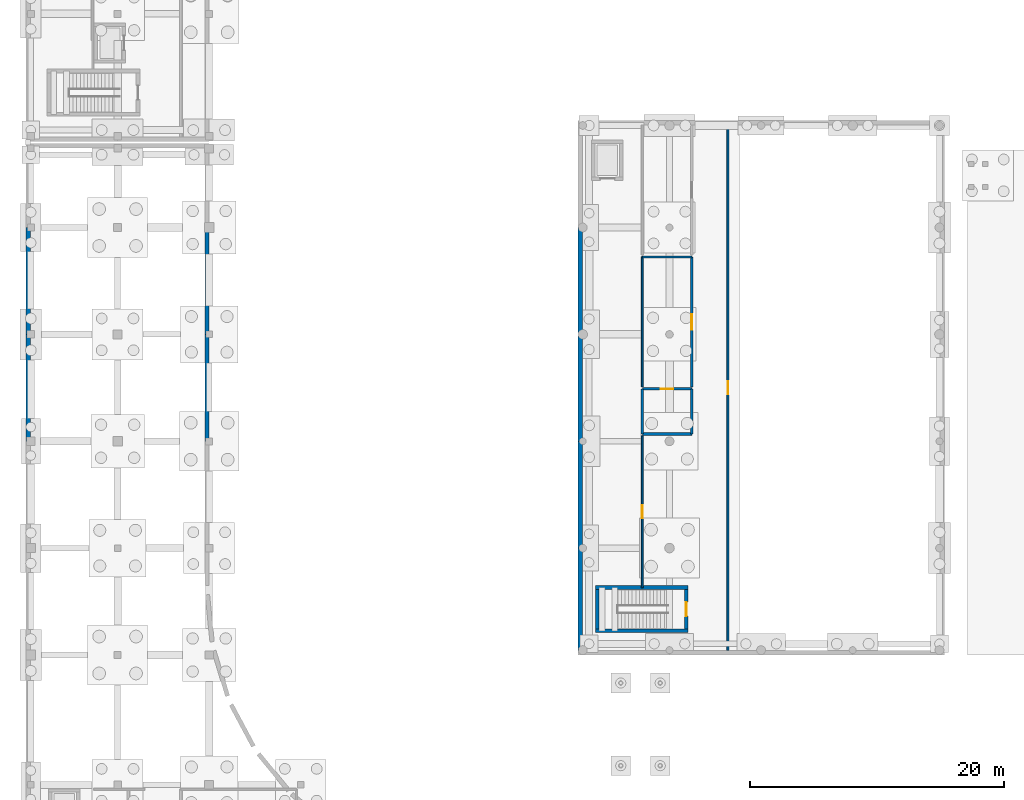
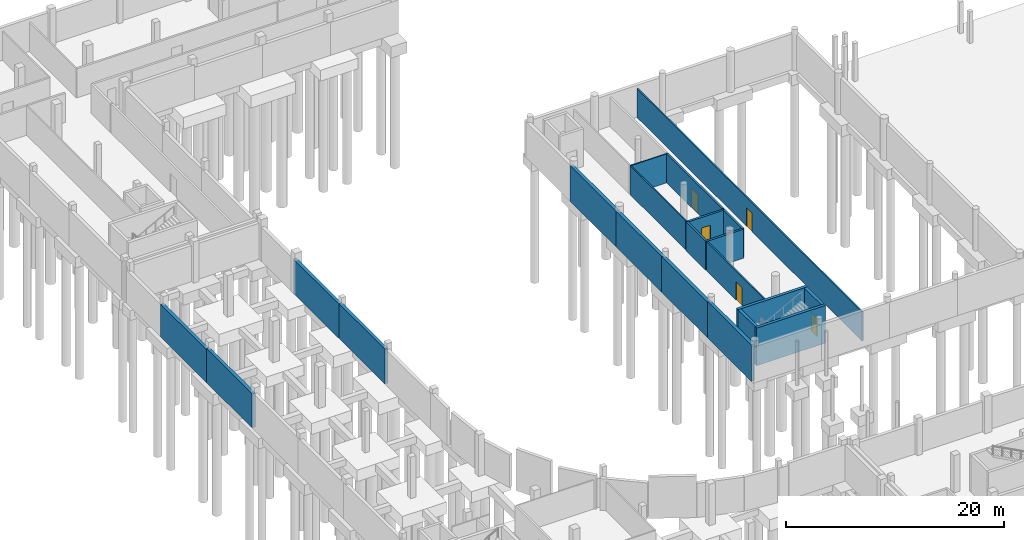
# One storey, part 26 of 41: 21 walls, 5 doors, 5 openings.
"""IFC4 building model written with IfcOpenShell, lengths in metres."""

from ifc_helpers import new_model, si_unit, direction, frame, frame_2d, origin, place, context, subcontext, project, spatial, rectangle, extrude, material, layer, layer_set, type_object, element, fill, save


model = new_model("IFC4")

# Units and contexts
model_context = context("Model", 3, precision=1e-05, world=origin(), true_north=direction((0.0, 1.0)))
body_context = subcontext(model_context, "Body", "Model", "MODEL_VIEW")
ifc_project = project(units=[si_unit("LENGTHUNIT", "METRE"), si_unit("AREAUNIT", "SQUARE_METRE"), si_unit("VOLUMEUNIT", "CUBIC_METRE"), si_unit("PLANEANGLEUNIT", "RADIAN"), si_unit("MASSUNIT", "GRAM", prefix="KILO")], contexts=[model_context])

# Site, building, storey
site_placement = place(None, origin())
site = spatial("IfcSite", under=ifc_project, at=site_placement, CompositionType="ELEMENT")
building_placement = place(site_placement, origin())
building = spatial("IfcBuilding", under=site, at=building_placement, Name="Vardoun Plaza Health Centre", CompositionType="ELEMENT")
storey_placement = place(building_placement, frame((0.0, 0.0, -4.5)))
storey = spatial("IfcBuildingStorey", under=building, at=storey_placement, Name="B1", CompositionType="ELEMENT", Elevation=-4.5)

# Walls
ifc_material_1 = material(Name="Concrete C40/50", Category="concrete")
ifc_layer_1 = layer(ifc_material_1, 0.300048828125)
ifc_layer_set_1 = layer_set([ifc_layer_1], Name="Concrete C40/50")
wall_type_1 = type_object("IfcWallType", Name="SW-01", PredefinedType="SHEAR", material=ifc_layer_set_1)
wall_1_placement = place(storey_placement, frame((56.550048828125, 38.199951171875, 0.0), z_axis=(0.0, 0.0, 1.0), x_axis=(-1.0, 0.0, 0.0)))
element("IfcWall", 1, at=wall_1_placement, inside=storey, type_object=wall_type_1, Name="Core C5 B1 Shear Wall S", PredefinedType="SHEAR", context=body_context, shape_type="SweptSolid", body=[
    extrude(rectangle(XDim=7.300048828125, YDim=0.300048828125, at=frame_2d((3.64990234375, 0.0))), origin(), (0.0, 0.0, 1.0), 4.219970703125),
])
wall_2_placement = place(storey_placement, frame((49.39990234375, 38.35009765625, 0.0), z_axis=(0.0, 0.0, 1.0), x_axis=(0.0, 1.0, 0.0)))
element("IfcWall", 2, at=wall_2_placement, inside=storey, type_object=wall_type_1, Name="Core C5 B1 Shear Wall W", PredefinedType="SHEAR", context=body_context, shape_type="SweptSolid", body=[
    extrude(rectangle(XDim=3.099853515625, YDim=0.300048828125, at=frame_2d((1.5498046875, 0.0))), origin(), (0.0, 0.0, 1.0), 4.219970703125),
])
wall_3_placement = place(storey_placement, frame((49.25, 41.60009765625, 0.0), z_axis=(0.0, 0.0, 1.0), x_axis=(1.0, 0.0, 0.0)))
element("IfcWall", 3, at=wall_3_placement, inside=storey, type_object=wall_type_1, Name="Core C5 B1 Shear Wall N", PredefinedType="SHEAR", context=body_context, shape_type="SweptSolid", body=[
    extrude(rectangle(XDim=7.300048828125, YDim=0.300048828125, at=frame_2d((3.64990234375, 0.0))), origin(), (0.0, 0.0, 1.0), 4.219970703125),
])

# Wall, opening, door
wall_4_placement = place(storey_placement, frame((56.39990234375, 41.449951171875, 0.0), z_axis=(0.0, 0.0, 1.0), x_axis=(0.0, -1.0, 0.0)))
wall_4 = element("IfcWall", 4, at=wall_4_placement, inside=storey, type_object=wall_type_1, Name="Core C5 B1 Shear Wall E", PredefinedType="SHEAR", context=body_context, shape_type="SweptSolid", body=[
    extrude(rectangle(XDim=3.099853515625, YDim=0.300048828125, at=frame_2d((1.5498046875, 0.0))), origin(), (0.0, 0.0, 1.0), 4.219970703125),
])
opening_1_placement = place(wall_4_placement, frame((1.0, 0.0, 0.0)))
opening_1 = element("IfcOpeningElement", 5, at=opening_1_placement, cuts=wall_4, Name="Opening SD-C5-B1", PredefinedType="OPENING", context=body_context, shape_type="SweptSolid", body=[
    extrude(rectangle(XDim=1.10009765625, YDim=2.050048828125, at=frame_2d((0.550048828125, 1.02490234375))), frame((0.0, 0.14990234375, 0.0), z_axis=(0.0, -1.0, 0.0), x_axis=(1.0, 0.0, 0.0)), (0.0, 0.0, 1.0), 0.300048828125),
])
ifc_material_2 = material(Name="Brushed Stainless Steel Grade 316L", Category="steel")
door_type_1 = type_object("IfcDoorType", Name="FD-01", OperationType="NOTDEFINED", PredefinedType="DOOR", material=ifc_material_2)
door_1_placement = place(opening_1_placement, origin())
door_1 = element("IfcDoor", 6, at=door_1_placement, inside=storey, type_object=door_type_1, Name="Stair C5 B1 Fire Door", OperationType="SINGLE_SWING_RIGHT", OverallHeight=2.050048828125, OverallWidth=1.10009765625, PredefinedType="DOOR", context=body_context, shape_type="SweptSolid", body=[
    extrude(rectangle(XDim=1.10009765625, YDim=2.050048828125, at=frame_2d((0.550048828125, 1.02490234375))), frame((0.0, 0.02490234375, 0.0), z_axis=(0.0, -1.0, 0.0), x_axis=(1.0, 0.0, 0.0)), (0.0, 0.0, 1.0), 0.050048828125),
])
fill(opening_1, door_1)

# Walls
ifc_material_3 = material(Name="Pale Limestone Concrete C35/45", Category="masonry")
ifc_layer_2 = layer(ifc_material_3, 0.344970703125)
ifc_layer_set_2 = layer_set([ifc_layer_2], Name="Pale Limestone Concrete C35/45")
wall_type_2 = type_object("IfcWallType", Name="EW-01", PredefinedType="SOLIDWALL", material=ifc_layer_set_2)
wall_5_placement = place(storey_placement, frame((48.052490234375, 36.64501953125, -0.419921875), z_axis=(0.0, 0.0, 1.0), x_axis=(0.0, 1.0, 0.0)))
element("IfcWall", 7, at=wall_5_placement, inside=storey, type_object=wall_type_2, Name="V1 B1 Exterior Wall EW-V1-014", PredefinedType="SOLIDWALL", context=body_context, shape_type="SweptSolid", body=[
    extrude(rectangle(XDim=8.054931640625, YDim=0.344970703125, at=frame_2d((4.02734375, 0.0))), origin(), (0.0, 0.0, 1.0), 4.074951171875),
])
wall_6_placement = place(storey_placement, frame((48.052490234375, 44.699951171875, -0.419921875), z_axis=(0.0, 0.0, 1.0), x_axis=(0.0, 1.0, 0.0)))
element("IfcWall", 8, at=wall_6_placement, inside=storey, type_object=wall_type_2, Name="V1 B1 Exterior Wall EW-V1-015", PredefinedType="SOLIDWALL", context=body_context, shape_type="SweptSolid", body=[
    extrude(rectangle(XDim=8.400146484375, YDim=0.344970703125, at=frame_2d((4.2001953125, 0.0))), origin(), (0.0, 0.0, 1.0), 4.0048828125),
])
for number, where, z_axis, x_axis, name in (
    (9, (48.052490234375, 53.10009765625, -0.419921875), (0.0, 0.0, 1.0), (0.0, 1.0, 0.0), "V1 B1 Exterior Wall EW-V1-016"),
    (10, (48.052490234375, 61.5, -0.419921875), (0.0, 0.0, 1.0), (0.0, 1.0, 0.0), "V1 B1 Exterior Wall EW-V1-017"),
):
    element("IfcWall", number, at=place(storey_placement, frame(where, z_axis=z_axis, x_axis=x_axis)), inside=storey, type_object=wall_type_2, Name=name, PredefinedType="SOLIDWALL", context=body_context, shape_type="SweptSolid", body=[
        extrude(rectangle(XDim=8.39990234375, YDim=0.344970703125, at=frame_2d((4.199951171875, 0.0))), origin(), (0.0, 0.0, 1.0), 4.0048828125),
    ])
wall_7_placement = place(storey_placement, frame((18.7275390625, 69.89990234375, -0.419921875), z_axis=(0.0, 0.0, 1.0), x_axis=(0.0, -1.0, 0.0)))
element("IfcWall", 11, at=wall_7_placement, inside=storey, type_object=wall_type_2, Name="V2 B1 Exterior Wall EW-V2-042", PredefinedType="SOLIDWALL", context=body_context, shape_type="SweptSolid", body=[
    extrude(rectangle(XDim=8.39990234375, YDim=0.344970703125, at=frame_2d((4.199951171875, 0.0))), origin(), (0.0, 0.0, 1.0), 3.824951171875),
])
wall_8_placement = place(storey_placement, frame((18.7275390625, 61.5, -0.419921875), z_axis=(0.0, 0.0, 1.0), x_axis=(0.0, -1.0, 0.0)))
element("IfcWall", 12, at=wall_8_placement, inside=storey, type_object=wall_type_2, Name="V2 B1 Exterior Wall EW-V2-043", PredefinedType="SOLIDWALL", context=body_context, shape_type="SweptSolid", body=[
    extrude(rectangle(XDim=8.39990234375, YDim=0.344970703125, at=frame_2d((4.199951171875, 0.0))), origin(), (0.0, 0.0, 1.0), 3.905029296875),
])
wall_9_placement = place(storey_placement, frame((4.672607421875, 53.10009765625, -0.419921875), z_axis=(0.0, 0.0, 1.0), x_axis=(0.0, 1.0, 0.0)))
element("IfcWall", 13, at=wall_9_placement, inside=storey, type_object=wall_type_2, Name="V2 B1 Exterior Wall EW-V2-069", PredefinedType="SOLIDWALL", context=body_context, shape_type="SweptSolid", body=[
    extrude(rectangle(XDim=8.39990234375, YDim=0.344970703125, at=frame_2d((4.199951171875, 0.0))), origin(), (0.0, 0.0, 1.0), 3.824951171875),
])
wall_10_placement = place(storey_placement, frame((4.672607421875, 61.5, -0.419921875), z_axis=(0.0, 0.0, 1.0), x_axis=(0.0, 1.0, 0.0)))
element("IfcWall", 14, at=wall_10_placement, inside=storey, type_object=wall_type_2, Name="V2 B1 Exterior Wall EW-V2-070", PredefinedType="SOLIDWALL", context=body_context, shape_type="SweptSolid", body=[
    extrude(rectangle(XDim=8.39990234375, YDim=0.344970703125, at=frame_2d((4.199951171875, 0.0))), origin(), (0.0, 0.0, 1.0), 3.6748046875),
])

# Wall, opening, door
ifc_material_4 = material(Name="Acoustic Gypsum Twin-Stud", Category="steel")
ifc_layer_3 = layer(ifc_material_4, 0.14990234375)
ifc_layer_set_3 = layer_set([ifc_layer_3], Name="Acoustic Gypsum Twin-Stud")
wall_type_3 = type_object("IfcWallType", Name="IW-04", PredefinedType="PARTITIONING", material=ifc_layer_set_3)
wall_11_placement = place(storey_placement, frame((52.93994140625, 41.60009765625, 0.0), z_axis=(0.0, 0.0, 1.0), x_axis=(0.0, 1.0, 0.0)))
wall_11 = element("IfcWall", 15, at=wall_11_placement, inside=storey, type_object=wall_type_3, Name="Metro Triage Vestibule Partition Wall", PredefinedType="PARTITIONING", context=body_context, shape_type="SweptSolid", body=[
    extrude(rectangle(XDim=11.928955078125, YDim=0.14990234375, at=frame_2d((5.96435546875, 0.0))), origin(), (0.0, 0.0, 1.0), 3.239990234375),
])
opening_2_placement = place(wall_11_placement, frame((5.444580078125, 0.0, 0.0)))
opening_2 = element("IfcOpeningElement", 16, at=opening_2_placement, cuts=wall_11, Name="Opening D-B1-002", PredefinedType="OPENING", context=body_context, shape_type="SweptSolid", body=[
    extrude(rectangle(XDim=1.0400390625, YDim=2.050048828125, at=frame_2d((0.52001953125, 1.02490234375))), frame((0.0, 0.074951171875, 0.0), z_axis=(0.0, -1.0, 0.0), x_axis=(1.0, 0.0, 0.0)), (0.0, 0.0, 1.0), 0.14990234375),
])
ifc_material_5 = material(Name="Antimicrobial Acoustic Timber and Steel S275JR", Category="steel")
door_type_2 = type_object("IfcDoorType", Name="CD-04", OperationType="NOTDEFINED", PredefinedType="DOOR", material=ifc_material_5)
door_2_placement = place(opening_2_placement, origin())
door_2 = element("IfcDoor", 17, at=door_2_placement, inside=storey, type_object=door_type_2, Name="Metro Triage Vestibule Door D-B1-002", OperationType="SINGLE_SWING_RIGHT", OverallHeight=2.050048828125, OverallWidth=1.0400390625, PredefinedType="DOOR", context=body_context, shape_type="SweptSolid", body=[
    extrude(rectangle(XDim=1.0400390625, YDim=2.050048828125, at=frame_2d((0.52001953125, 1.02490234375))), frame((0.0, 0.02490234375, 0.0), z_axis=(0.0, -1.0, 0.0), x_axis=(1.0, 0.0, 0.0)), (0.0, 0.0, 1.0), 0.050048828125),
])
fill(opening_2, door_2)

wall_12_placement = place(storey_placement, frame((59.669921875, 36.64990234375, 0.0), z_axis=(0.0, 0.0, 1.0), x_axis=(0.0, 1.0, 0.0)))
wall_12 = element("IfcWall", 18, at=wall_12_placement, inside=storey, type_object=wall_type_3, Name="Metro Triage Vestibule A Partition Wall", PredefinedType="PARTITIONING", context=body_context, shape_type="SweptSolid", body=[
    extrude(rectangle(XDim=41.300048828125, YDim=0.14990234375, at=frame_2d((20.64990234375, 0.0))), origin(), (0.0, 0.0, 1.0), 3.239990234375),
])
opening_3_placement = place(wall_12_placement, frame((20.14990234375, 0.0, 0.0)))
opening_3 = element("IfcOpeningElement", 19, at=opening_3_placement, cuts=wall_12, Name="Opening D-B1-005", PredefinedType="OPENING", context=body_context, shape_type="SweptSolid", body=[
    extrude(rectangle(XDim=1.0, YDim=2.050048828125, at=frame_2d((0.5, 1.02490234375))), frame((0.0, 0.074951171875, 0.0), z_axis=(0.0, -1.0, 0.0), x_axis=(1.0, 0.0, 0.0)), (0.0, 0.0, 1.0), 0.14990234375),
])
ifc_material_6 = material(Name="Antimicrobial Acoustic Timber and Steel S275JR", Category="steel")
door_type_3 = type_object("IfcDoorType", Name="CD-03", OperationType="NOTDEFINED", PredefinedType="DOOR", material=ifc_material_6)
door_3_placement = place(opening_3_placement, origin())
door_3 = element("IfcDoor", 20, at=door_3_placement, inside=storey, type_object=door_type_3, Name="Metro Triage Vestibule A Door D-B1-005", OperationType="SINGLE_SWING_LEFT", OverallHeight=2.050048828125, OverallWidth=1.0, PredefinedType="DOOR", context=body_context, shape_type="SweptSolid", body=[
    extrude(rectangle(XDim=1.0, YDim=2.050048828125, at=frame_2d((0.5, 1.02490234375))), frame((0.0, 0.02490234375, 0.0), z_axis=(0.0, -1.0, 0.0), x_axis=(1.0, 0.0, 0.0)), (0.0, 0.0, 1.0), 0.050048828125),
])
fill(opening_3, door_3)

# Walls
ifc_material_7 = material(Name="Standard Clinical Sub-Partition", Category="steel")
ifc_layer_4 = layer(ifc_material_7, 0.125)
ifc_layer_set_4 = layer_set([ifc_layer_4], Name="Standard Clinical Sub-Partition")
wall_type_4 = type_object("IfcWallType", Name="IW-11", PredefinedType="PARTITIONING", material=ifc_layer_set_4)
wall_13_placement = place(storey_placement, frame((52.93994140625, 57.3798828125, 0.0), z_axis=(0.0, 0.0, 1.0), x_axis=(0.0, 1.0, 0.0)))
element("IfcWall", 21, at=wall_13_placement, inside=storey, type_object=wall_type_4, Name="Patient Records Store Enclosure Partition", PredefinedType="PARTITIONING", context=body_context, shape_type="SweptSolid", body=[
    extrude(rectangle(XDim=10.205078125, YDim=0.125, at=frame_2d((5.1025390625, 0.0))), origin(), (0.0, 0.0, 1.0), 3.239990234375),
])
wall_14_placement = place(storey_placement, frame((52.93994140625, 67.5849609375, 0.0), z_axis=(0.0, 0.0, 1.0), x_axis=(1.0, 0.0, 0.0)))
element("IfcWall", 22, at=wall_14_placement, inside=storey, type_object=wall_type_4, Name="Patient Records Store Enclosure Partition", PredefinedType="PARTITIONING", context=body_context, shape_type="SweptSolid", body=[
    extrude(rectangle(XDim=3.89013671875, YDim=0.125, at=frame_2d((1.945068359375, 0.0))), origin(), (0.0, 0.0, 1.0), 3.239990234375),
])

# Wall, opening, door
ifc_material_8 = material(Name="Concrete C35/45", Category="concrete")
ifc_layer_5 = layer(ifc_material_8, 0.199951171875)
ifc_layer_set_5 = layer_set([ifc_layer_5], Name="Concrete C35/45")
wall_type_5 = type_object("IfcWallType", Name="IW-01", PredefinedType="SOLIDWALL", material=ifc_layer_set_5)
wall_15_placement = place(storey_placement, frame((56.830078125, 67.5849609375, 0.0), z_axis=(0.0, 0.0, 1.0), x_axis=(0.0, -1.0, 0.0)))
wall_15 = element("IfcWall", 23, at=wall_15_placement, inside=storey, type_object=wall_type_5, Name="Patient Records Store Partition Wall", PredefinedType="SOLIDWALL", context=body_context, shape_type="SweptSolid", body=[
    extrude(rectangle(XDim=10.205078125, YDim=0.199951171875, at=frame_2d((5.1025390625, 0.0))), origin(), (0.0, 0.0, 1.0), 3.239990234375),
])
opening_4_placement = place(wall_15_placement, frame((4.50244140625, 0.0, 0.0)))
opening_4 = element("IfcOpeningElement", 24, at=opening_4_placement, cuts=wall_15, Name="Opening D-B1-003", PredefinedType="OPENING", context=body_context, shape_type="SweptSolid", body=[
    extrude(rectangle(XDim=1.199951171875, YDim=2.050048828125, at=frame_2d((0.60009765625, 1.02490234375))), frame((0.0, 0.10009765625, 0.0), z_axis=(0.0, -1.0, 0.0), x_axis=(1.0, 0.0, 0.0)), (0.0, 0.0, 1.0), 0.199951171875),
])
ifc_material_9 = material(Name="Antimicrobial Acoustic Timber and Steel S275JR", Category="steel")
door_type_4 = type_object("IfcDoorType", Name="FD-04", OperationType="NOTDEFINED", PredefinedType="DOOR", material=ifc_material_9)
door_4_placement = place(opening_4_placement, origin())
door_4 = element("IfcDoor", 25, at=door_4_placement, inside=storey, type_object=door_type_4, Name="Patient Records Store Door D-B1-003", OperationType="SINGLE_SWING_LEFT", OverallHeight=2.050048828125, OverallWidth=1.199951171875, PredefinedType="DOOR", context=body_context, shape_type="SweptSolid", body=[
    extrude(rectangle(XDim=1.199951171875, YDim=2.050048828125, at=frame_2d((0.60009765625, 1.02490234375))), frame((0.0, 0.02490234375, 0.0), z_axis=(0.0, -1.0, 0.0), x_axis=(1.0, 0.0, 0.0)), (0.0, 0.0, 1.0), 0.050048828125),
])
fill(opening_4, door_4)

ifc_material_10 = material(Name="Moisture-Resistant Plumbing Chase", Category="steel")
ifc_layer_6 = layer(ifc_material_10, 0.215087890625)
ifc_layer_set_6 = layer_set([ifc_layer_6], Name="Moisture-Resistant Plumbing Chase")
wall_type_6 = type_object("IfcWallType", Name="IW-06", PredefinedType="PLUMBINGWALL", material=ifc_layer_set_6)
wall_16_placement = place(storey_placement, frame((52.93994140625, 57.219970703125, 0.0), z_axis=(0.0, 0.0, 1.0), x_axis=(1.0, 0.0, 0.0)))
wall_16 = element("IfcWall", 26, at=wall_16_placement, inside=storey, type_object=wall_type_6, Name="Accessible WC B1-V1 Partition Wall", PredefinedType="PLUMBINGWALL", context=body_context, shape_type="SweptSolid", body=[
    extrude(rectangle(XDim=3.89013671875, YDim=0.215087890625, at=frame_2d((1.945068359375, 0.0))), origin(), (0.0, 0.0, 1.0), 3.239990234375),
])
opening_5_placement = place(wall_16_placement, frame((1.469970703125, 0.0, 0.0)))
opening_5 = element("IfcOpeningElement", 27, at=opening_5_placement, cuts=wall_16, Name="Opening D-B1-001", PredefinedType="OPENING", context=body_context, shape_type="SweptSolid", body=[
    extrude(rectangle(XDim=0.949951171875, YDim=2.050048828125, at=frame_2d((0.47509765625, 1.02490234375))), frame((0.0, 0.107421875, 0.0), z_axis=(0.0, -1.0, 0.0), x_axis=(1.0, 0.0, 0.0)), (0.0, 0.0, 1.0), 0.215087890625),
])
ifc_material_11 = material(Name="Antimicrobial Acoustic Timber and Steel S275JR", Category="steel")
door_type_5 = type_object("IfcDoorType", Name="CD-07", OperationType="NOTDEFINED", PredefinedType="DOOR", material=ifc_material_11)
door_5_placement = place(opening_5_placement, origin())
door_5 = element("IfcDoor", 28, at=door_5_placement, inside=storey, type_object=door_type_5, Name="Accessible WC B1-V1 Door D-B1-001", OperationType="SINGLE_SWING_LEFT", OverallHeight=2.050048828125, OverallWidth=0.949951171875, PredefinedType="DOOR", context=body_context, shape_type="SweptSolid", body=[
    extrude(rectangle(XDim=0.949951171875, YDim=2.050048828125, at=frame_2d((0.47509765625, 1.02490234375))), frame((0.0, 0.02490234375, 0.0), z_axis=(0.0, -1.0, 0.0), x_axis=(1.0, 0.0, 0.0)), (0.0, 0.0, 1.0), 0.050048828125),
])
fill(opening_5, door_5)

# Walls
wall_17_placement = place(storey_placement, frame((56.830078125, 57.219970703125, 0.0), z_axis=(0.0, 0.0, 1.0), x_axis=(0.0, -1.0, 0.0)))
element("IfcWall", 29, at=wall_17_placement, inside=storey, type_object=wall_type_6, Name="Accessible WC B1-V1 Enclosure Partition", PredefinedType="PLUMBINGWALL", context=body_context, shape_type="SweptSolid", body=[
    extrude(rectangle(XDim=3.55078125, YDim=0.215087890625, at=frame_2d((1.775390625, 0.0))), origin(), (0.0, 0.0, 1.0), 3.239990234375),
])
wall_18_placement = place(storey_placement, frame((56.830078125, 53.669189453125, 0.0), z_axis=(0.0, 0.0, 1.0), x_axis=(-1.0, 0.0, 0.0)))
element("IfcWall", 30, at=wall_18_placement, inside=storey, type_object=wall_type_6, Name="Accessible WC B1-V1 Enclosure Partition", PredefinedType="PLUMBINGWALL", context=body_context, shape_type="SweptSolid", body=[
    extrude(rectangle(XDim=3.89013671875, YDim=0.215087890625, at=frame_2d((1.945068359375, 0.0))), origin(), (0.0, 0.0, 1.0), 3.239990234375),
])
wall_19_placement = place(storey_placement, frame((52.93994140625, 53.669189453125, 0.0), z_axis=(0.0, 0.0, 1.0), x_axis=(0.0, 1.0, 0.0)))
element("IfcWall", 31, at=wall_19_placement, inside=storey, type_object=wall_type_6, Name="Accessible WC B1-V1 Enclosure Partition", PredefinedType="PLUMBINGWALL", context=body_context, shape_type="SweptSolid", body=[
    extrude(rectangle(XDim=3.55078125, YDim=0.215087890625, at=frame_2d((1.775390625, 0.0))), origin(), (0.0, 0.0, 1.0), 3.239990234375),
])

save(model, "model.ifc")
